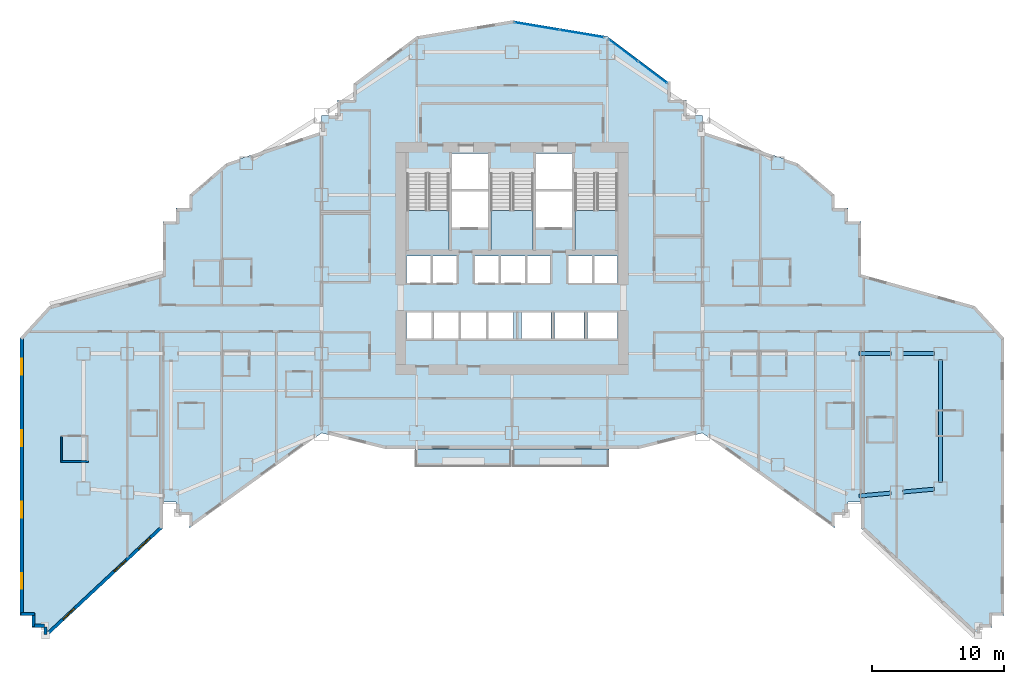
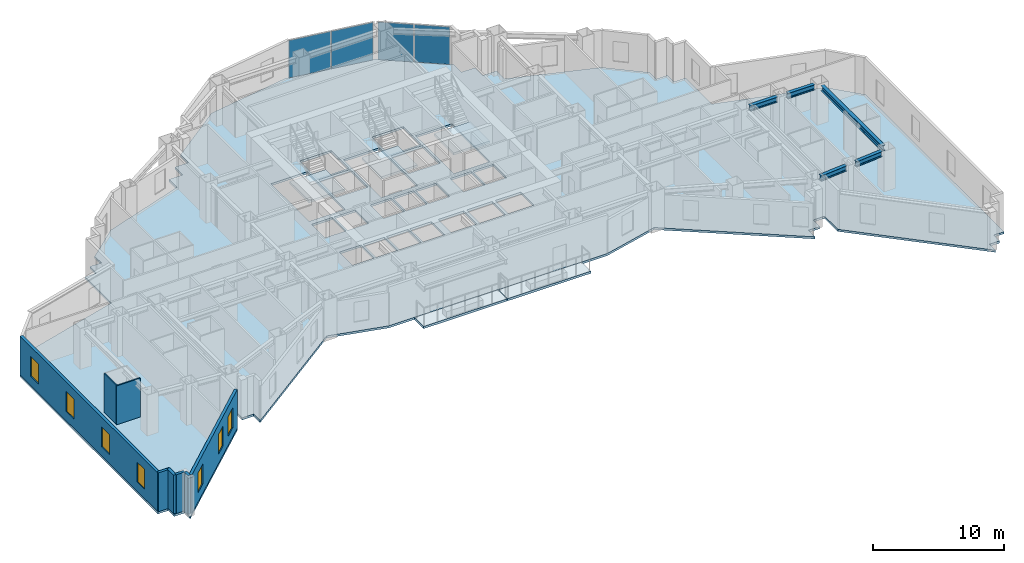
# One storey, part 6 of 16: 8 walls, 7 windows, 6 slabs, 5 beams, 4 plates, 7 openings, 5 elements without a shape of their own.
"""IFC4 building model written with IfcOpenShell, lengths in metres."""

from ifc_helpers import new_model, si_unit, direction, frame, frame_2d, origin, origin_2d, place, context, subcontext, project, spatial, polyline, rectangle, i_section, outline, extrude, material, layer, layer_set, material_profile, profile_set, type_object, element, fill, aggregate, save


model = new_model("IFC4")

# Units and contexts
model_context = context("Model", 3, precision=1e-05, world=origin(), true_north=direction((0.0, 1.0)))
body_context = subcontext(model_context, "Body", "Model", "MODEL_VIEW")
ifc_project = project(units=[si_unit("LENGTHUNIT", "METRE"), si_unit("AREAUNIT", "SQUARE_METRE"), si_unit("VOLUMEUNIT", "CUBIC_METRE"), si_unit("PLANEANGLEUNIT", "RADIAN"), si_unit("MASSUNIT", "GRAM", prefix="KILO")], contexts=[model_context])

# Site, building, storey
site_placement = place(None, origin())
site = spatial("IfcSite", under=ifc_project, at=site_placement, CompositionType="ELEMENT")
building_placement = place(site_placement, origin())
building = spatial("IfcBuilding", under=site, at=building_placement, Name="Haolan Belvedere Tower", CompositionType="ELEMENT")
storey_placement = place(building_placement, frame((0.0, 0.0, 62.800048828125)))
storey = spatial("IfcBuildingStorey", under=building, at=storey_placement, Name="L15", CompositionType="ELEMENT", Elevation=62.800048828125)

# Beams
ifc_material_1 = material(Name="Steel Q355B", Category="steel")
ifc_material_profile = material_profile(ifc_material_1, i_section(OverallWidth=0.300048828125, OverallDepth=0.488037109375, WebThickness=0.010986328125, FlangeThickness=0.01806640625, FilletRadius=0.02587890625, at=origin_2d()), Name="Steel Q355B")
ifc_profile_set = profile_set([ifc_material_profile], Name="Steel Q355B")
beam_type = type_object("IfcBeamType", Name="BM-HM488x300x11x18", PredefinedType="SPANDREL", material=ifc_profile_set)
beam_placement = place(storey_placement, frame((70.800048828125, 17.85009765625, 3.35595703125), z_axis=(0.0, 1.0, 0.0), x_axis=(-1.0, 0.0, 0.0)))
element("IfcBeam", 1, at=beam_placement, inside=storey, type_object=beam_type, Name="L15 spandrel girder MC-T5-SE-MC-T5-NE", PredefinedType="SPANDREL", context=body_context, shape_type="SweptSolid", body=[
    extrude(i_section(OverallWidth=0.300048828125, OverallDepth=0.488037109375, WebThickness=0.010986328125, FlangeThickness=0.01806640625, FilletRadius=0.02587890625, at=origin_2d()), origin(), (0.0, 0.0, 1.0), 9.2998046875),
])
for number, where, z_axis, x_axis, name in (
    (2, (64.648193359375, 16.8408203125, 3.35595703125), (0.995893206468, 0.090535746043, 0.0), (-0.090535746043, 0.995893206468, 0.0), "L15 spandrel girder MC-T4-SE-TC-T5-M1"),
    (3, (67.9482421875, 17.140625, 3.35595703125), (0.995884080761, 0.090636072764, 0.0), (-0.090636072764, 0.995884080761, 0.0), "L15 spandrel girder TC-T5-M1-MC-T5-SE"),
):
    element("IfcBeam", number, at=place(storey_placement, frame(where, z_axis=z_axis, x_axis=x_axis)), inside=storey, type_object=beam_type, Name=name, PredefinedType="SPANDREL", context=body_context, shape_type="SweptSolid", body=[
        extrude(i_section(OverallWidth=0.300048828125, OverallDepth=0.488037109375, WebThickness=0.010986328125, FlangeThickness=0.01806640625, FilletRadius=0.02587890625, at=origin_2d()), origin(), (0.0, 0.0, 1.0), 2.41357421875),
    ])
for number, where, z_axis, x_axis, name in (
    (4, (64.64990234375, 27.60009765625, 3.35595703125), (1.0, 0.0, 0.0), (0.0, 1.0, 0.0), "L15 spandrel girder MC-T4-ME-TC-T5-M2"),
    (5, (67.949951171875, 27.60009765625, 3.35595703125), (1.0, 0.0, 0.0), (0.0, 1.0, 0.0), "L15 spandrel girder TC-T5-M2-MC-T5-NE"),
):
    element("IfcBeam", number, at=place(storey_placement, frame(where, z_axis=z_axis, x_axis=x_axis)), inside=storey, type_object=beam_type, Name=name, PredefinedType="SPANDREL", context=body_context, shape_type="SweptSolid", body=[
        extrude(i_section(OverallWidth=0.300048828125, OverallDepth=0.488037109375, WebThickness=0.010986328125, FlangeThickness=0.01806640625, FilletRadius=0.02587890625, at=origin_2d()), origin(), (0.0, 0.0, 1.0), 2.400146484375),
    ])

# Curtain wall, plates
ifc_material_2 = material(Name="Anodised champagne-silver aluminium 6063-T6 and Low-E glass", Category="aluminium")
ifc_layer_1 = layer(ifc_material_2, 0.1650390625, Name="Anodised champagne-silver aluminium 6063-T6 and Low-E glass")
ifc_layer_set_1 = layer_set([ifc_layer_1], Name="Anodised champagne-silver aluminium 6063-T6 and Low-E glass")
curtain_wall_type = type_object("IfcCurtainWallType", Name="CW-SYS-02", PredefinedType="NOTDEFINED", material=ifc_layer_set_1)
curtain_wall_1_placement = place(storey_placement, origin())
curtain_wall_1 = element("IfcCurtainWall", 6, at=curtain_wall_1_placement, inside=storey, type_object=curtain_wall_type, Name="L15 CW-SYS-02 ribbon curtain wall 41.1", PredefinedType="NOTDEFINED")
ifc_material_3 = material(Name="Double silver Low-E laminated insulating glass", Category="glass")
ifc_layer_2 = layer(ifc_material_3, 0.02587890625, Name="Double silver Low-E laminated insulating glass")
ifc_layer_set_2 = layer_set([ifc_layer_2], Name="Double silver Low-E laminated insulating glass")
plate_type = type_object("IfcPlateType", Name="CW-SYS-02-PNL", PredefinedType="CURTAIN_PANEL", material=ifc_layer_set_2)
plate_1_placement = place(storey_placement, frame((49.02978515625, 48.877685546875, 0.05517578125), z_axis=(0.0, 0.0, 1.0), x_axis=(-0.800004262313, 0.599994316874, 0.0)))
plate_1 = element("IfcPlate", 7, at=plate_1_placement, type_object=plate_type, Name="CW-02 panel 1.1", PredefinedType="CURTAIN_PANEL", context=body_context, shape_type="SweptSolid", body=[
    extrude(rectangle(XDim=2.725341796875, YDim=0.02587890625, at=origin_2d()), origin(), (0.0, 0.0, 1.0), 3.489990234375),
])
plate_2_placement = place(storey_placement, frame((46.801513671875, 50.548828125, 0.05517578125), z_axis=(0.0, 0.0, 1.0), x_axis=(-0.800004262313, 0.599994316874, 0.0)))
plate_2 = element("IfcPlate", 8, at=plate_2_placement, type_object=plate_type, Name="CW-02 panel 2.1", PredefinedType="CURTAIN_PANEL", context=body_context, shape_type="SweptSolid", body=[
    extrude(rectangle(XDim=2.725341796875, YDim=0.02587890625, at=origin_2d()), origin(), (0.0, 0.0, 1.0), 3.489990234375),
])
aggregate(curtain_wall_1, [plate_1, plate_2])

curtain_wall_2_placement = place(storey_placement, origin())
curtain_wall_2 = element("IfcCurtainWall", 9, at=curtain_wall_2_placement, inside=storey, type_object=curtain_wall_type, Name="L15 CW-SYS-02 ribbon curtain wall 42.1", PredefinedType="NOTDEFINED")
plate_3_placement = place(storey_placement, frame((43.6796875, 51.79833984375, 0.05517578125), z_axis=(0.0, 0.0, 1.0), x_axis=(-0.9863931483, 0.16440364043, 0.0)))
plate_3 = element("IfcPlate", 10, at=plate_3_placement, type_object=plate_type, Name="CW-02 panel 1.1", PredefinedType="CURTAIN_PANEL", context=body_context, shape_type="SweptSolid", body=[
    extrude(rectangle(XDim=3.39501953125, YDim=0.02587890625, at=origin_2d()), origin(), (0.0, 0.0, 1.0), 3.489990234375),
])
plate_4_placement = place(storey_placement, frame((40.271728515625, 52.366455078125, 0.05517578125), z_axis=(0.0, 0.0, 1.0), x_axis=(-0.9863931483, 0.16440364043, 0.0)))
plate_4 = element("IfcPlate", 11, at=plate_4_placement, type_object=plate_type, Name="CW-02 panel 2.1", PredefinedType="CURTAIN_PANEL", context=body_context, shape_type="SweptSolid", body=[
    extrude(rectangle(XDim=3.39501953125, YDim=0.02587890625, at=origin_2d()), origin(), (0.0, 0.0, 1.0), 3.489990234375),
])
aggregate(curtain_wall_2, [plate_3, plate_4])

# Slabs
ifc_material_4 = material(Name="Concrete C40/50", Category="concrete")
ifc_layer_3 = layer(ifc_material_4, 0.2099609375, Name="Concrete C40/50")
ifc_layer_set_3 = layer_set([ifc_layer_3], Name="Concrete C40/50")
slab_type_1 = type_object("IfcSlabType", Name="SL-BAL-210", PredefinedType="FLOOR", material=ifc_layer_set_3)
slab_1_placement = place(storey_placement, frame((0.0, 0.0, -0.22998046875)))
element("IfcSlab", 12, at=slab_1_placement, inside=storey, type_object=slab_type_1, Name="L15 structural tree-planter balcony slab BAL-L15-S1", PredefinedType="FLOOR", context=body_context, shape_type="SweptSolid", body=[
    extrude(outline(polyline([(31.050048828125, 19.02001953125), (38.3798828125, 19.02001953125), (38.3798828125, 20.39990234375), (31.050048828125, 20.39990234375), (31.050048828125, 19.02001953125)])), origin(), (0.0, 0.0, 1.0), 0.2099609375),
])
slab_2_placement = place(storey_placement, frame((0.0, 0.0, -0.22998046875)))
element("IfcSlab", 13, at=slab_2_placement, inside=storey, type_object=slab_type_1, Name="L15 structural tree-planter balcony slab BAL-L15-S2", PredefinedType="FLOOR", context=body_context, shape_type="SweptSolid", body=[
    extrude(outline(polyline([(38.419921875, 19.02001953125), (45.75, 19.02001953125), (45.75, 20.39990234375), (38.419921875, 20.39990234375), (38.419921875, 19.02001953125)])), origin(), (0.0, 0.0, 1.0), 0.2099609375),
])
ifc_layer_4 = layer(ifc_material_4, 0.199951171875, Name="Concrete C40/50")
ifc_layer_set_4 = layer_set([ifc_layer_4], Name="Concrete C40/50")
slab_type_2 = type_object("IfcSlabType", Name="SL-FLR-200", PredefinedType="FLOOR", material=ifc_layer_set_4)
slab_3_placement = place(storey_placement, frame((0.0, 0.0, -0.199951171875)))
element("IfcSlab", 14, at=slab_3_placement, inside=storey, type_object=slab_type_2, Name="L15 structural floor slab", PredefinedType="FLOOR", context=body_context, shape_type="SweptSolid", body=[
    extrude(outline(polyline([(1.199951171875, 28.800048828125), (1.199951171875, 8.39990234375), (1.199951171875, 7.800048828125), (2.10009765625, 7.800048828125), (2.10009765625, 6.89990234375), (3.0, 6.89990234375), (3.0, 6.0), (12.0, 14.39990234375), (12.0, 16.39990234375), (13.0, 16.39990234375), (13.0, 15.39990234375), (14.0, 15.39990234375), (14.0, 14.39990234375), (24.0, 21.60009765625), (28.800048828125, 20.39990234375), (48.0, 20.39990234375), (52.800048828125, 21.60009765625), (62.800048828125, 14.39990234375), (62.800048828125, 15.39990234375), (63.800048828125, 15.39990234375), (63.800048828125, 16.39990234375), (64.800048828125, 16.39990234375), (64.800048828125, 14.39990234375), (73.800048828125, 6.0), (73.800048828125, 6.89990234375), (74.699951171875, 6.89990234375), (74.699951171875, 7.800048828125), (75.60009765625, 7.800048828125), (75.60009765625, 28.800048828125), (73.39990234375, 31.199951171875), (64.800048828125, 33.60009765625), (64.800048828125, 37.60009765625), (63.800048828125, 37.60009765625), (63.800048828125, 38.60009765625), (62.800048828125, 38.60009765625), (62.800048828125, 39.60009765625), (60.0, 42.0), (52.800048828125, 44.39990234375), (52.800048828125, 45.60009765625), (51.60009765625, 45.60009765625), (51.60009765625, 46.800048828125), (50.39990234375, 46.800048828125), (50.39990234375, 48.0), (45.60009765625, 51.60009765625), (38.39990234375, 52.800048828125), (31.199951171875, 51.60009765625), (26.39990234375, 48.0), (26.39990234375, 46.800048828125), (25.199951171875, 46.800048828125), (25.199951171875, 45.60009765625), (24.0, 45.60009765625), (24.0, 44.39990234375), (16.800048828125, 42.0), (14.0, 39.60009765625), (14.0, 38.60009765625), (13.0, 38.60009765625), (13.0, 37.60009765625), (12.0, 37.60009765625), (12.0, 33.60009765625), (3.39990234375, 31.199951171875), (1.199951171875, 28.800048828125)]), holes=[polyline([(30.449951171875, 41.22998046875), (30.449951171875, 35.449951171875), (33.6298828125, 35.449951171875), (33.6298828125, 41.22998046875), (30.449951171875, 41.22998046875)]), polyline([(36.81005859375, 41.22998046875), (36.81005859375, 35.449951171875), (39.989990234375, 35.449951171875), (39.989990234375, 41.22998046875), (36.81005859375, 41.22998046875)]), polyline([(43.169921875, 41.22998046875), (43.169921875, 35.449951171875), (46.35009765625, 35.449951171875), (46.35009765625, 41.22998046875), (43.169921875, 41.22998046875)]), polyline([(33.830078125, 40.050048828125), (36.610107421875, 40.050048828125), (36.610107421875, 42.75), (33.830078125, 42.75), (33.830078125, 40.050048828125)]), polyline([(33.830078125, 37.14990234375), (36.610107421875, 37.14990234375), (36.610107421875, 39.85009765625), (33.830078125, 39.85009765625), (33.830078125, 37.14990234375)]), polyline([(40.18994140625, 40.050048828125), (42.969970703125, 40.050048828125), (42.969970703125, 42.75), (40.18994140625, 42.75), (40.18994140625, 40.050048828125)]), polyline([(40.18994140625, 37.14990234375), (42.969970703125, 37.14990234375), (42.969970703125, 39.85009765625), (40.18994140625, 39.85009765625), (40.18994140625, 37.14990234375)]), polyline([(30.419921875, 32.949951171875), (32.27001953125, 32.949951171875), (32.27001953125, 35.0), (30.419921875, 35.0), (30.419921875, 32.949951171875)]), polyline([(32.409912109375, 32.949951171875), (34.260009765625, 32.949951171875), (34.260009765625, 35.0), (32.409912109375, 35.0), (32.409912109375, 32.949951171875)]), polyline([(35.56005859375, 32.949951171875), (37.409912109375, 32.949951171875), (37.409912109375, 35.0), (35.56005859375, 35.0), (35.56005859375, 32.949951171875)]), polyline([(37.550048828125, 32.949951171875), (39.39990234375, 32.949951171875), (39.39990234375, 35.0), (37.550048828125, 35.0), (37.550048828125, 32.949951171875)]), polyline([(39.5400390625, 32.949951171875), (41.389892578125, 32.949951171875), (41.389892578125, 35.0), (39.5400390625, 35.0), (39.5400390625, 32.949951171875)]), polyline([(42.6201171875, 32.949951171875), (44.469970703125, 32.949951171875), (44.469970703125, 35.0), (42.6201171875, 35.0), (42.6201171875, 32.949951171875)]), polyline([(44.580078125, 32.949951171875), (46.3798828125, 32.949951171875), (46.3798828125, 35.0), (44.580078125, 35.0), (44.580078125, 32.949951171875)]), polyline([(30.419921875, 28.75), (32.320068359375, 28.75), (32.320068359375, 30.75), (30.419921875, 30.75), (30.419921875, 28.75)]), polyline([(32.47998046875, 28.75), (34.3798828125, 28.75), (34.3798828125, 30.75), (32.47998046875, 30.75), (32.47998046875, 28.75)]), polyline([(34.5400390625, 28.75), (36.43994140625, 28.75), (36.43994140625, 30.75), (34.5400390625, 30.75), (34.5400390625, 28.75)]), polyline([(36.60009765625, 28.75), (38.5, 28.75), (38.5, 30.75), (36.60009765625, 30.75), (36.60009765625, 28.75)]), polyline([(39.10009765625, 28.75), (41.340087890625, 28.75), (41.340087890625, 30.75), (39.10009765625, 30.75), (39.10009765625, 28.75)]), polyline([(41.610107421875, 28.75), (43.85009765625, 28.75), (43.85009765625, 30.75), (41.610107421875, 30.75), (41.610107421875, 28.75)]), polyline([(44.1201171875, 28.75), (46.360107421875, 28.75), (46.360107421875, 30.75), (44.1201171875, 30.75), (44.1201171875, 28.75)])]), origin(), (0.0, 0.0, 1.0), 0.199951171875),
])

# Stair, slab
stair_type = type_object("IfcStairType", Name="STR-DL-22R-173", PredefinedType="HALF_TURN_STAIR", material=ifc_material_4)
stair_1_placement = place(storey_placement, origin())
stair_1 = element("IfcStair", 15, at=stair_1_placement, inside=storey, type_object=stair_type, Name="L15 Smokeproof Core Exit Stair ST1", PredefinedType="HALF_TURN_STAIR")
ifc_layer_5 = layer(ifc_material_4, 0.199951171875, Name="Concrete C40/50")
ifc_layer_set_5 = layer_set([ifc_layer_5], Name="Concrete C40/50")
slab_type_3 = type_object("IfcSlabType", Name="SL-LAND-200", PredefinedType="LANDING", material=ifc_layer_set_5)
slab_4_placement = place(storey_placement, frame((0.0, 0.0, 1.699951171875)))
slab_4 = element("IfcSlab", 16, at=slab_4_placement, type_object=slab_type_3, Name="ST1 landing 1", PredefinedType="LANDING", context=body_context, shape_type="SweptSolid", body=[
    extrude(outline(polyline([(30.449951171875, 38.429931640625), (30.449951171875, 35.449951171875), (33.6298828125, 35.449951171875), (33.6298828125, 38.429931640625), (30.449951171875, 38.429931640625)])), origin(), (0.0, 0.0, 1.0), 0.199951171875),
])
aggregate(stair_1, [slab_4])

stair_2_placement = place(storey_placement, origin())
stair_2 = element("IfcStair", 17, at=stair_2_placement, inside=storey, type_object=stair_type, Name="L15 Smokeproof Core Exit Stair ST3", PredefinedType="HALF_TURN_STAIR")
slab_5_placement = place(storey_placement, frame((0.0, 0.0, 1.699951171875)))
slab_5 = element("IfcSlab", 18, at=slab_5_placement, type_object=slab_type_3, Name="ST3 landing 1", PredefinedType="LANDING", context=body_context, shape_type="SweptSolid", body=[
    extrude(outline(polyline([(36.81005859375, 38.429931640625), (36.81005859375, 35.449951171875), (39.989990234375, 35.449951171875), (39.989990234375, 38.429931640625), (36.81005859375, 38.429931640625)])), origin(), (0.0, 0.0, 1.0), 0.199951171875),
])
aggregate(stair_2, [slab_5])

stair_3_placement = place(storey_placement, origin())
stair_3 = element("IfcStair", 19, at=stair_3_placement, inside=storey, type_object=stair_type, Name="L15 Smokeproof Core Exit Stair ST2", PredefinedType="HALF_TURN_STAIR")
slab_6_placement = place(storey_placement, frame((0.0, 0.0, 1.699951171875)))
slab_6 = element("IfcSlab", 20, at=slab_6_placement, type_object=slab_type_3, Name="ST2 landing 1", PredefinedType="LANDING", context=body_context, shape_type="SweptSolid", body=[
    extrude(outline(polyline([(43.169921875, 38.429931640625), (43.169921875, 35.449951171875), (46.35009765625, 35.449951171875), (46.35009765625, 38.429931640625), (43.169921875, 38.429931640625)])), origin(), (0.0, 0.0, 1.0), 0.199951171875),
])
aggregate(stair_3, [slab_6])

# Walls
ifc_material_5 = material(Name="Precast concrete C40/50", Category="concrete")
ifc_layer_6 = layer(ifc_material_5, 0.239990234375, Name="Precast concrete C40/50")
ifc_layer_set_6 = layer_set([ifc_layer_6], Name="Precast concrete C40/50")
wall_type_1 = type_object("IfcWallType", Name="WL-EXT-240", PredefinedType="SOLIDWALL", material=ifc_layer_set_6)
for number, where, z_axis, x_axis, name in (
    (21, (1.264892578125, 7.919921875, 0.0), (0.0, 0.0, 1.0), (1.0, 0.0, 0.0), "L15 pale-metal exterior spandrel wall 1.1"),
    (22, (2.219970703125, 7.97509765625, 0.0), (0.0, 0.0, 1.0), (0.0, -1.0, 0.0), "L15 pale-metal exterior spandrel wall 2.1"),
):
    element("IfcWall", number, at=place(storey_placement, frame(where, z_axis=z_axis, x_axis=x_axis)), inside=storey, type_object=wall_type_1, Name=name, PredefinedType="SOLIDWALL", context=body_context, shape_type="SweptSolid", body=[
        extrude(rectangle(XDim=1.010009765625, YDim=0.239990234375, at=frame_2d((0.5048828125, 0.0))), origin(), (0.0, 0.0, 1.0), 3.599853515625),
    ])
wall_1_placement = place(storey_placement, frame((2.300048828125, 7.02001953125, 0.0), z_axis=(0.0, 0.0, 1.0), x_axis=(1.0, 0.0, 0.0)))
element("IfcWall", 23, at=wall_1_placement, inside=storey, type_object=wall_type_1, Name="L15 pale-metal exterior spandrel wall 3.1", PredefinedType="SOLIDWALL", context=body_context, shape_type="SweptSolid", body=[
    extrude(rectangle(XDim=0.73486328125, YDim=0.239990234375, at=frame_2d((0.367431640625, 0.0))), origin(), (0.0, 0.0, 1.0), 3.599853515625),
])
wall_2_placement = place(storey_placement, frame((3.1201171875, 6.93505859375, 0.0), z_axis=(0.0, 0.0, 1.0), x_axis=(0.0, -1.0, 0.0)))
element("IfcWall", 24, at=wall_2_placement, inside=storey, type_object=wall_type_1, Name="L15 pale-metal exterior spandrel wall 4.1", PredefinedType="SOLIDWALL", context=body_context, shape_type="SweptSolid", body=[
    extrude(rectangle(XDim=0.573974609375, YDim=0.239990234375, at=frame_2d((0.287109375, 0.0))), origin(), (0.0, 0.0, 1.0), 3.599853515625),
])

# Wall, openings, windows
wall_3_placement = place(storey_placement, frame((3.269775390625, 6.416015625, 0.0), z_axis=(0.0, 0.0, 1.0), x_axis=(0.731064187858, 0.682308693505, 0.0)))
wall_3 = element("IfcWall", 25, at=wall_3_placement, inside=storey, type_object=wall_type_1, Name="L15 pale-metal exterior spandrel wall 5.1", PredefinedType="SOLIDWALL", context=body_context, shape_type="SweptSolid", body=[
    extrude(rectangle(XDim=11.83251953125, YDim=0.239990234375, at=frame_2d((5.916259765625, 0.0))), origin(), (0.0, 0.0, 1.0), 3.599853515625),
])
opening_1_placement = place(wall_3_placement, frame((1.60009765625, 0.0, 0.85009765625)))
opening_1 = element("IfcOpeningElement", 26, at=opening_1_placement, cuts=wall_3, Name="Opening W-01", PredefinedType="OPENING", context=body_context, shape_type="SweptSolid", body=[
    extrude(rectangle(XDim=1.199951171875, YDim=1.85009765625, at=frame_2d((0.60009765625, 0.925048828125))), frame((0.0, 0.1298828125, 0.0), z_axis=(0.0, -1.0, 0.0), x_axis=(1.0, 0.0, 0.0)), (0.0, 0.0, 1.0), 0.260009765625),
])
opening_2_placement = place(wall_3_placement, frame((6.91162109375, 0.0, 0.85009765625)))
opening_2 = element("IfcOpeningElement", 27, at=opening_2_placement, cuts=wall_3, Name="Opening W-01", PredefinedType="OPENING", context=body_context, shape_type="SweptSolid", body=[
    extrude(rectangle(XDim=1.199951171875, YDim=1.85009765625, at=frame_2d((0.60009765625, 0.925048828125))), frame((0.0, 0.1298828125, 0.0), z_axis=(0.0, -1.0, 0.0), x_axis=(1.0, 0.0, 0.0)), (0.0, 0.0, 1.0), 0.260009765625),
])
opening_3_placement = place(wall_3_placement, frame((9.4208984375, 0.0, 0.85009765625)))
opening_3 = element("IfcOpeningElement", 28, at=opening_3_placement, cuts=wall_3, Name="Opening W-01", PredefinedType="OPENING", context=body_context, shape_type="SweptSolid", body=[
    extrude(rectangle(XDim=1.199951171875, YDim=1.85009765625, at=frame_2d((0.60009765625, 0.925048828125))), frame((0.0, 0.1298828125, 0.0), z_axis=(0.0, -1.0, 0.0), x_axis=(1.0, 0.0, 0.0)), (0.0, 0.0, 1.0), 0.260009765625),
])
ifc_material_6 = material(Name="Anodised aluminium 6063-T6 and Low-E glass", Category="aluminium")
window_type = type_object("IfcWindowType", Name="WN-DECO-Z1", PartitioningType="SINGLE_PANEL", PredefinedType="WINDOW", material=ifc_material_6)
window_1_placement = place(opening_1_placement, origin())
window_1 = element("IfcWindow", 29, at=window_1_placement, inside=storey, type_object=window_type, Name="L15 Art Deco chevron window 1", OverallHeight=1.85009765625, OverallWidth=1.199951171875, PartitioningType="SINGLE_PANEL", PredefinedType="WINDOW", context=body_context, shape_type="SweptSolid", body=[
    extrude(rectangle(XDim=1.199951171875, YDim=1.85009765625, at=frame_2d((0.60009765625, 0.925048828125))), frame((0.0, 0.030029296875, 0.0), z_axis=(0.0, -1.0, 0.0), x_axis=(1.0, 0.0, 0.0)), (0.0, 0.0, 1.0), 0.06005859375),
])
fill(opening_1, window_1)
window_2_placement = place(opening_2_placement, origin())
window_2 = element("IfcWindow", 30, at=window_2_placement, inside=storey, type_object=window_type, Name="L15 Art Deco chevron window 2", OverallHeight=1.85009765625, OverallWidth=1.199951171875, PartitioningType="SINGLE_PANEL", PredefinedType="WINDOW", context=body_context, shape_type="SweptSolid", body=[
    extrude(rectangle(XDim=1.199951171875, YDim=1.85009765625, at=frame_2d((0.60009765625, 0.925048828125))), frame((0.0, 0.030029296875, 0.0), z_axis=(0.0, -1.0, 0.0), x_axis=(1.0, 0.0, 0.0)), (0.0, 0.0, 1.0), 0.06005859375),
])
fill(opening_2, window_2)
window_3_placement = place(opening_3_placement, origin())
window_3 = element("IfcWindow", 31, at=window_3_placement, inside=storey, type_object=window_type, Name="L15 Art Deco guestroom window 3", OverallHeight=1.85009765625, OverallWidth=1.199951171875, PartitioningType="SINGLE_PANEL", PredefinedType="WINDOW", context=body_context, shape_type="SweptSolid", body=[
    extrude(rectangle(XDim=1.199951171875, YDim=1.85009765625, at=frame_2d((0.60009765625, 0.925048828125))), frame((0.0, 0.030029296875, 0.0), z_axis=(0.0, -1.0, 0.0), x_axis=(1.0, 0.0, 0.0)), (0.0, 0.0, 1.0), 0.06005859375),
])
fill(opening_3, window_3)

wall_4_placement = place(storey_placement, frame((1.320068359375, 28.808349609375, 0.0), z_axis=(0.0, 0.0, 1.0), x_axis=(0.0, -1.0, 0.0)))
wall_4 = element("IfcWall", 32, at=wall_4_placement, inside=storey, type_object=wall_type_1, Name="L15 pale-metal exterior spandrel wall 59.1", PredefinedType="SOLIDWALL", context=body_context, shape_type="SweptSolid", body=[
    extrude(rectangle(XDim=20.943359375, YDim=0.239990234375, at=frame_2d((10.4716796875, 0.0))), origin(), (0.0, 0.0, 1.0), 3.599853515625),
])
opening_4_placement = place(wall_4_placement, frame((1.60009765625, 0.0, 0.85009765625)))
opening_4 = element("IfcOpeningElement", 33, at=opening_4_placement, cuts=wall_4, Name="Opening W-01", PredefinedType="OPENING", context=body_context, shape_type="SweptSolid", body=[
    extrude(rectangle(XDim=1.199951171875, YDim=1.85009765625, at=frame_2d((0.60009765625, 0.925048828125))), frame((0.0, 0.1298828125, 0.0), z_axis=(0.0, -1.0, 0.0), x_axis=(1.0, 0.0, 0.0)), (0.0, 0.0, 1.0), 0.260009765625),
])
opening_5_placement = place(wall_4_placement, frame((7.0, 0.0, 0.85009765625)))
opening_5 = element("IfcOpeningElement", 34, at=opening_5_placement, cuts=wall_4, Name="Opening W-01", PredefinedType="OPENING", context=body_context, shape_type="SweptSolid", body=[
    extrude(rectangle(XDim=1.199951171875, YDim=1.85009765625, at=frame_2d((0.60009765625, 0.925048828125))), frame((0.0, 0.1298828125, 0.0), z_axis=(0.0, -1.0, 0.0), x_axis=(1.0, 0.0, 0.0)), (0.0, 0.0, 1.0), 0.260009765625),
])
opening_6_placement = place(wall_4_placement, frame((12.39990234375, 0.0, 0.85009765625)))
opening_6 = element("IfcOpeningElement", 35, at=opening_6_placement, cuts=wall_4, Name="Opening W-01", PredefinedType="OPENING", context=body_context, shape_type="SweptSolid", body=[
    extrude(rectangle(XDim=1.199951171875, YDim=1.85009765625, at=frame_2d((0.60009765625, 0.925048828125))), frame((0.0, 0.1298828125, 0.0), z_axis=(0.0, -1.0, 0.0), x_axis=(1.0, 0.0, 0.0)), (0.0, 0.0, 1.0), 0.260009765625),
])
opening_7_placement = place(wall_4_placement, frame((17.800048828125, 0.0, 0.85009765625)))
opening_7 = element("IfcOpeningElement", 36, at=opening_7_placement, cuts=wall_4, Name="Opening W-01", PredefinedType="OPENING", context=body_context, shape_type="SweptSolid", body=[
    extrude(rectangle(XDim=1.199951171875, YDim=1.85009765625, at=frame_2d((0.60009765625, 0.925048828125))), frame((0.0, 0.1298828125, 0.0), z_axis=(0.0, -1.0, 0.0), x_axis=(1.0, 0.0, 0.0)), (0.0, 0.0, 1.0), 0.260009765625),
])
window_4_placement = place(opening_4_placement, origin())
window_4 = element("IfcWindow", 37, at=window_4_placement, inside=storey, type_object=window_type, Name="L15 Art Deco chevron window 1", OverallHeight=1.85009765625, OverallWidth=1.199951171875, PartitioningType="SINGLE_PANEL", PredefinedType="WINDOW", context=body_context, shape_type="SweptSolid", body=[
    extrude(rectangle(XDim=1.199951171875, YDim=1.85009765625, at=frame_2d((0.60009765625, 0.925048828125))), frame((0.0, 0.030029296875, 0.0), z_axis=(0.0, -1.0, 0.0), x_axis=(1.0, 0.0, 0.0)), (0.0, 0.0, 1.0), 0.06005859375),
])
fill(opening_4, window_4)
window_5_placement = place(opening_5_placement, origin())
window_5 = element("IfcWindow", 38, at=window_5_placement, inside=storey, type_object=window_type, Name="L15 Art Deco chevron window 2", OverallHeight=1.85009765625, OverallWidth=1.199951171875, PartitioningType="SINGLE_PANEL", PredefinedType="WINDOW", context=body_context, shape_type="SweptSolid", body=[
    extrude(rectangle(XDim=1.199951171875, YDim=1.85009765625, at=frame_2d((0.60009765625, 0.925048828125))), frame((0.0, 0.030029296875, 0.0), z_axis=(0.0, -1.0, 0.0), x_axis=(1.0, 0.0, 0.0)), (0.0, 0.0, 1.0), 0.06005859375),
])
fill(opening_5, window_5)
window_6_placement = place(opening_6_placement, origin())
window_6 = element("IfcWindow", 39, at=window_6_placement, inside=storey, type_object=window_type, Name="L15 Art Deco chevron window 3", OverallHeight=1.85009765625, OverallWidth=1.199951171875, PartitioningType="SINGLE_PANEL", PredefinedType="WINDOW", context=body_context, shape_type="SweptSolid", body=[
    extrude(rectangle(XDim=1.199951171875, YDim=1.85009765625, at=frame_2d((0.60009765625, 0.925048828125))), frame((0.0, 0.030029296875, 0.0), z_axis=(0.0, -1.0, 0.0), x_axis=(1.0, 0.0, 0.0)), (0.0, 0.0, 1.0), 0.06005859375),
])
fill(opening_6, window_6)
window_7_placement = place(opening_7_placement, origin())
window_7 = element("IfcWindow", 40, at=window_7_placement, inside=storey, type_object=window_type, Name="L15 Art Deco chevron window 4", OverallHeight=1.85009765625, OverallWidth=1.199951171875, PartitioningType="SINGLE_PANEL", PredefinedType="WINDOW", context=body_context, shape_type="SweptSolid", body=[
    extrude(rectangle(XDim=1.199951171875, YDim=1.85009765625, at=frame_2d((0.60009765625, 0.925048828125))), frame((0.0, 0.030029296875, 0.0), z_axis=(0.0, -1.0, 0.0), x_axis=(1.0, 0.0, 0.0)), (0.0, 0.0, 1.0), 0.06005859375),
])
fill(opening_7, window_7)

# Walls
ifc_material_7 = material(Name="Moisture-resistant gypsum tile partition", Category="masonry")
ifc_layer_7 = layer(ifc_material_7, 0.1201171875, Name="Moisture-resistant gypsum tile partition")
ifc_layer_set_7 = layer_set([ifc_layer_7], Name="Moisture-resistant gypsum tile partition")
wall_type_2 = type_object("IfcWallType", Name="WL-WET-120", PredefinedType="PARTITIONING", material=ifc_layer_set_7)
wall_5_placement = place(storey_placement, frame((4.264892578125, 19.444091796875, 0.0), z_axis=(0.0, 0.0, 1.0), x_axis=(1.0, 0.0, 0.0)))
element("IfcWall", 41, at=wall_5_placement, inside=storey, type_object=wall_type_2, Name="L15 interior partition IW-L15-T1S1-BS", PredefinedType="PARTITIONING", context=body_context, shape_type="SweptSolid", body=[
    extrude(rectangle(XDim=2.10009765625, YDim=0.1201171875, at=frame_2d((1.050048828125, 0.0))), origin(), (0.0, 0.0, 1.0), 3.599853515625),
])
wall_6_placement = place(storey_placement, frame((4.324951171875, 19.489013671875, 0.0), z_axis=(0.0, 0.0, 1.0), x_axis=(0.0, 1.0, 0.0)))
element("IfcWall", 42, at=wall_6_placement, inside=storey, type_object=wall_type_2, Name="L15 interior partition IW-L15-T1S1-BW", PredefinedType="PARTITIONING", context=body_context, shape_type="SweptSolid", body=[
    extrude(rectangle(XDim=1.830078125, YDim=0.1201171875, at=frame_2d((0.9150390625, 0.0))), origin(), (0.0, 0.0, 1.0), 3.599853515625),
])

save(model, "model.ifc")
